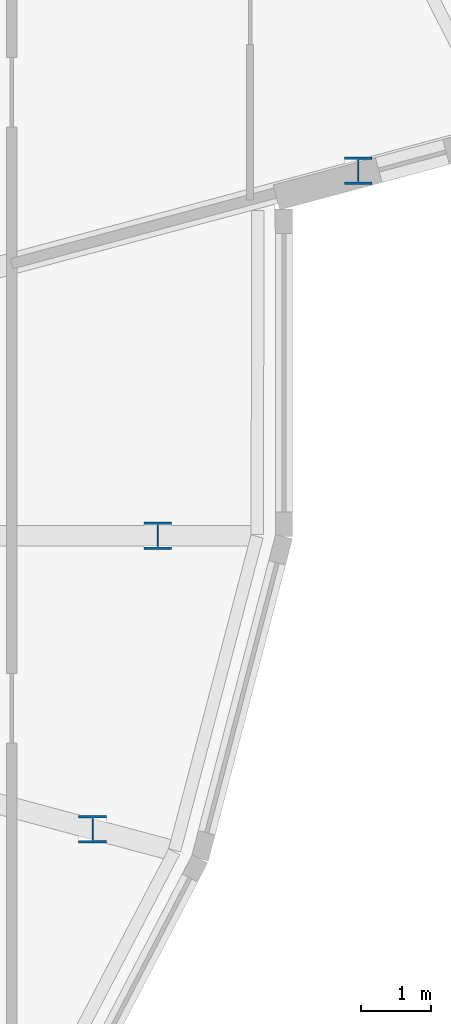
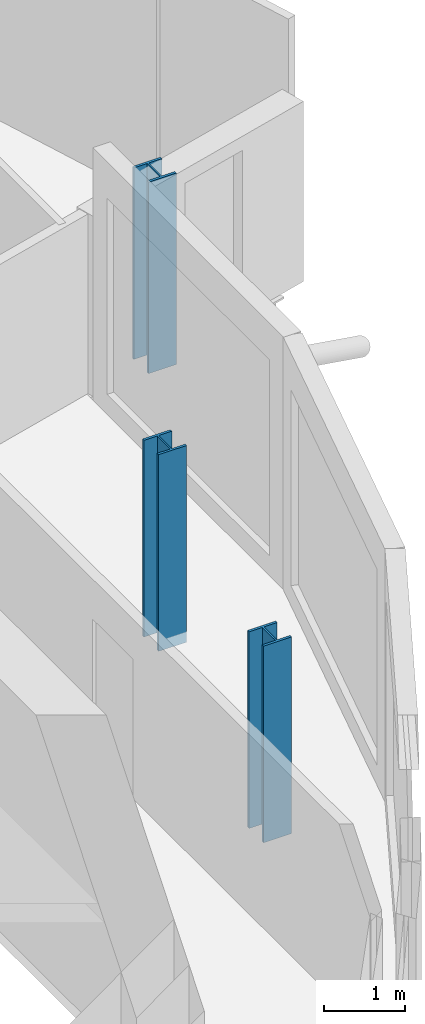
# One storey, part 2 of 38: 3 columns.
"""IFC4 building model written with IfcOpenShell, lengths in metres."""

from ifc_helpers import new_model, si_unit, direction, frame, origin, origin_2d, place, context, subcontext, project, spatial, i_section, extrude, material, material_profile, profile_set, type_object, element, save


model = new_model("IFC4")

# Units and contexts
model_context = context("Model", 3, precision=1e-05, world=origin(), true_north=direction((0.0, 1.0)))
body_context = subcontext(model_context, "Body", "Model", "MODEL_VIEW")
ifc_project = project(units=[si_unit("LENGTHUNIT", "METRE"), si_unit("AREAUNIT", "SQUARE_METRE"), si_unit("VOLUMEUNIT", "CUBIC_METRE"), si_unit("PLANEANGLEUNIT", "RADIAN"), si_unit("MASSUNIT", "GRAM", prefix="KILO")], contexts=[model_context])

# Site, building, storey
site_placement = place(None, origin())
site = spatial("IfcSite", under=ifc_project, at=site_placement, CompositionType="ELEMENT")
building_placement = place(site_placement, origin())
building = spatial("IfcBuilding", under=site, at=building_placement, Name="Rimbun Link Towers", CompositionType="ELEMENT")
storey_placement = place(building_placement, frame((0.0, 0.0, 108.199951171875)))
storey = spatial("IfcBuildingStorey", under=building, at=storey_placement, Name="L26", CompositionType="ELEMENT", Elevation=108.199951171875)

# Columns
ifc_material = material(Name="Steel S355J2", Category="steel")
ifc_material_profile = material_profile(ifc_material, i_section(OverallWidth=0.39892578125, OverallDepth=0.3935546875, WebThickness=0.022705078125, FlangeThickness=0.03662109375, at=origin_2d()), Name="UC 356x406x287")
ifc_profile_set = profile_set([ifc_material_profile], Name="Steel S355J2")
column_type = type_object("IfcColumnType", Name="UC 356x406x287", PredefinedType="COLUMN", material=ifc_profile_set)
for number, where, z_axis, x_axis, name in (
    (1, (47.4599609375, -4.20947265625, -0.159912109375), (0.0, 0.0, 1.0), (1.0, 0.0, 0.0), "Crease post T2 L26 20"),
    (2, (48.39453125, 0.0, -0.159912109375), (0.0, 0.0, 1.0), (1.0, 0.0, 0.0), "Crease post T2 L26 21"),
):
    element("IfcColumn", number, at=place(storey_placement, frame(where, z_axis=z_axis, x_axis=x_axis)), inside=storey, type_object=column_type, Name=name, PredefinedType="COLUMN", context=body_context, shape_type="SweptSolid", body=[
        extrude(i_section(OverallWidth=0.39892578125, OverallDepth=0.3935546875, WebThickness=0.022705078125, FlangeThickness=0.03662109375, at=origin_2d()), origin(), (0.0, 0.0, 1.0), 2.959228515625),
    ])
column_placement = place(storey_placement, frame((51.26904296875, 5.22998046875, -0.159912109375), z_axis=(0.0, 0.0, 1.0), x_axis=(1.0, 0.0, 0.0)))
element("IfcColumn", 3, at=column_placement, inside=storey, type_object=column_type, Name="Crease post T2 L26 22", PredefinedType="COLUMN", context=body_context, shape_type="SweptSolid", body=[
    extrude(i_section(OverallWidth=0.39892578125, OverallDepth=0.3935546875, WebThickness=0.022705078125, FlangeThickness=0.03662109375, at=origin_2d()), origin(), (0.0, 0.0, 1.0), 2.881591796875),
])

save(model, "model.ifc")
